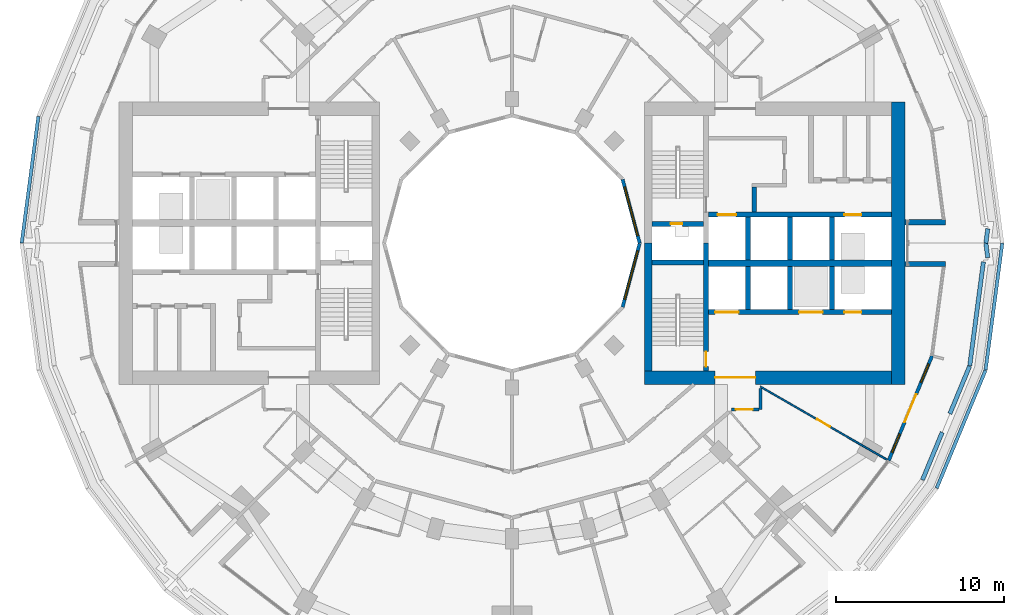
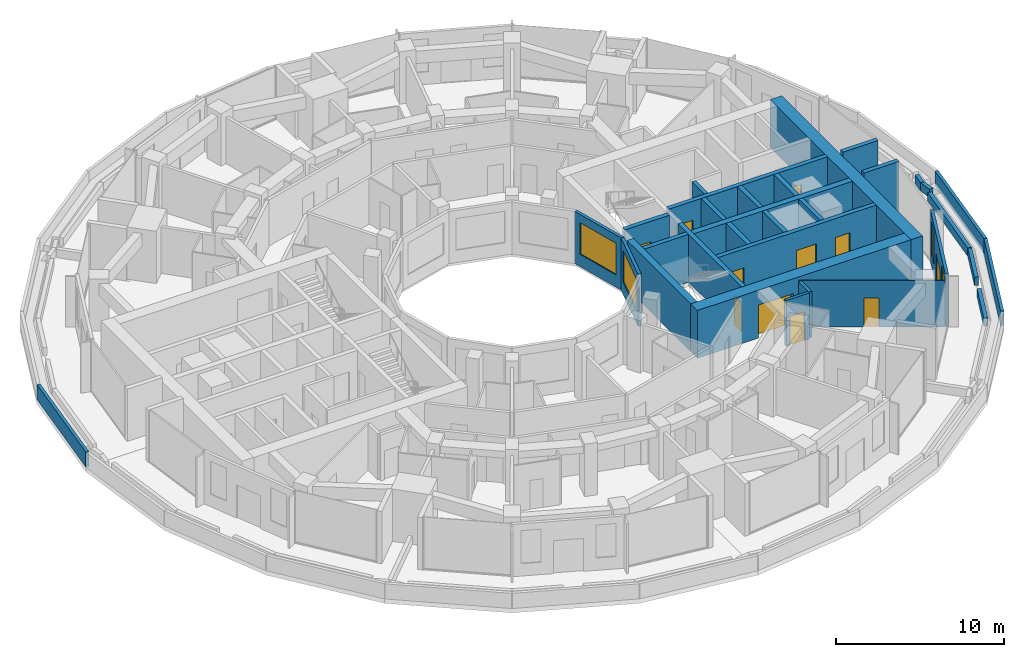
# One storey, part 13 of 19: 32 walls, 11 doors, 4 windows, 15 openings.
"""IFC4 building model written with IfcOpenShell, lengths in metres."""

from ifc_helpers import new_model, si_unit, direction, frame, frame_2d, origin, place, context, subcontext, project, spatial, rectangle, extrude, material, layer, layer_set, type_object, element, fill, save


model = new_model("IFC4")

# Units and contexts
model_context = context("Model", 3, precision=1e-05, world=origin(), true_north=direction((0.0, 1.0)))
body_context = subcontext(model_context, "Body", "Model", "MODEL_VIEW")
ifc_project = project(units=[si_unit("LENGTHUNIT", "METRE"), si_unit("AREAUNIT", "SQUARE_METRE"), si_unit("VOLUMEUNIT", "CUBIC_METRE"), si_unit("PLANEANGLEUNIT", "RADIAN"), si_unit("MASSUNIT", "GRAM", prefix="KILO")], contexts=[model_context])

# Site, building, storey
site_placement = place(None, origin())
site = spatial("IfcSite", under=ifc_project, at=site_placement, CompositionType="ELEMENT")
building_placement = place(site_placement, origin())
building = spatial("IfcBuilding", under=site, at=building_placement, Name="Torre Brocal", CompositionType="ELEMENT")
storey_placement = place(building_placement, frame((0.0, 0.0, 28.800048828125)))
storey = spatial("IfcBuildingStorey", under=building, at=storey_placement, Name="L05", CompositionType="ELEMENT", Elevation=28.800048828125)

# Wall
ifc_material_1 = material(Name="Concrete C80", Category="concrete")
ifc_layer_1 = layer(ifc_material_1, 0.25)
ifc_layer_set_1 = layer_set([ifc_layer_1], Name="Concrete C80")
wall_type_1 = type_object("IfcWallType", Name="CORE WALL 250 C80", PredefinedType="SHEAR", material=ifc_layer_set_1)
wall_1_placement = place(storey_placement, frame((94.425048828125, 76.85009765625, 0.0), z_axis=(0.0, 0.0, 1.0), x_axis=(0.0, 1.0, 0.0)))
element("IfcWall", 1, at=wall_1_placement, inside=storey, type_object=wall_type_1, Name="Wall CW250-80", PredefinedType="SHEAR", context=body_context, shape_type="SweptSolid", body=[
    extrude(rectangle(XDim=1.5, YDim=0.25, at=frame_2d((0.75, 0.0))), origin(), (0.0, 0.0, 1.0), 3.47998046875),
])

# Wall, opening, door
ifc_material_2 = material(Name="Concrete C80", Category="concrete")
ifc_layer_2 = layer(ifc_material_2, 0.300048828125)
ifc_layer_set_2 = layer_set([ifc_layer_2], Name="Concrete C80")
wall_type_2 = type_object("IfcWallType", Name="CORE WALL 300 C80", PredefinedType="SHEAR", material=ifc_layer_set_2)
wall_2_placement = place(storey_placement, frame((91.550048828125, 67.39990234375, 0.0), z_axis=(0.0, 0.0, 1.0), x_axis=(0.0, 1.0, 0.0)))
wall_2 = element("IfcWall", 2, at=wall_2_placement, inside=storey, type_object=wall_type_2, Name="Wall CW300-80", PredefinedType="SHEAR", context=body_context, shape_type="SweptSolid", body=[
    extrude(rectangle(XDim=7.60009765625, YDim=0.300048828125, at=frame_2d((3.800048828125, 0.0))), origin(), (0.0, 0.0, 1.0), 3.47998046875),
])
opening_1_placement = place(wall_2_placement, frame((0.25, 0.0, 0.0)))
opening_1 = element("IfcOpeningElement", 3, at=opening_1_placement, cuts=wall_2, Name="Opening E-D03", PredefinedType="OPENING", context=body_context, shape_type="SweptSolid", body=[
    extrude(rectangle(XDim=0.89990234375, YDim=2.10009765625, at=frame_2d((0.449951171875, 1.050048828125))), frame((0.0, 0.159912109375, 0.0), z_axis=(0.0, -1.0, 0.0), x_axis=(1.0, 0.0, 0.0)), (0.0, 0.0, 1.0), 0.320068359375),
])
ifc_material_3 = material(Name="Steel A653", Category="steel")
door_type_1 = type_object("IfcDoorType", Name="STAIR DOOR FD120 900X2100", OperationType="SINGLE_SWING_RIGHT", PredefinedType="DOOR", material=ifc_material_3)
door_1_placement = place(opening_1_placement, origin())
door_1 = element("IfcDoor", 4, at=door_1_placement, inside=storey, type_object=door_type_1, Name="Door E-D03", OperationType="SINGLE_SWING_LEFT", OverallHeight=2.10009765625, OverallWidth=0.89990234375, PredefinedType="DOOR", context=body_context, shape_type="SweptSolid", body=[
    extrude(rectangle(XDim=0.89990234375, YDim=2.10009765625, at=frame_2d((0.449951171875, 1.050048828125))), frame((0.0, 0.02490234375, 0.0), z_axis=(0.0, -1.0, 0.0), x_axis=(1.0, 0.0, 0.0)), (0.0, 0.0, 1.0), 0.050048828125),
])
fill(opening_1, door_1)

wall_3_placement = place(storey_placement, frame((88.35009765625, 76.14990234375, 0.0), z_axis=(0.0, 0.0, 1.0), x_axis=(1.0, 0.0, 0.0)))
wall_3 = element("IfcWall", 5, at=wall_3_placement, inside=storey, type_object=wall_type_2, Name="Wall CW300-80", PredefinedType="SHEAR", context=body_context, shape_type="SweptSolid", body=[
    extrude(rectangle(XDim=3.0498046875, YDim=0.300048828125, at=frame_2d((1.52490234375, 0.0))), origin(), (0.0, 0.0, 1.0), 3.47998046875),
])
opening_2_placement = place(wall_3_placement, frame((1.10009765625, 0.0, 0.0)))
opening_2 = element("IfcOpeningElement", 6, at=opening_2_placement, cuts=wall_3, Name="Opening E-D01", PredefinedType="OPENING", context=body_context, shape_type="SweptSolid", body=[
    extrude(rectangle(XDim=0.699951171875, YDim=2.0, at=frame_2d((0.35009765625, 1.0))), frame((0.0, 0.159912109375, 0.0), z_axis=(0.0, -1.0, 0.0), x_axis=(1.0, 0.0, 0.0)), (0.0, 0.0, 1.0), 0.320068359375),
])
ifc_material_4 = material(Name="Steel A653", Category="steel")
door_type_2 = type_object("IfcDoorType", Name="RISER DOOR FD120 700X2000", OperationType="SINGLE_SWING_LEFT", PredefinedType="DOOR", material=ifc_material_4)
door_2_placement = place(opening_2_placement, frame((0.699951171875, 0.0, 0.0), z_axis=(0.0, 0.0, 1.0), x_axis=(-1.0, 0.0, 0.0)))
door_2 = element("IfcDoor", 7, at=door_2_placement, inside=storey, type_object=door_type_2, Name="Door E-D01", OperationType="SINGLE_SWING_RIGHT", OverallHeight=2.0, OverallWidth=0.699951171875, PredefinedType="DOOR", context=body_context, shape_type="SweptSolid", body=[
    extrude(rectangle(XDim=0.699951171875, YDim=2.0, at=frame_2d((0.35009765625, 1.0))), frame((0.0, 0.02490234375, 0.0), z_axis=(0.0, -1.0, 0.0), x_axis=(1.0, 0.0, 0.0)), (0.0, 0.0, 1.0), 0.050048828125),
])
fill(opening_2, door_2)

# Wall
wall_4_placement = place(storey_placement, frame((88.35009765625, 73.85009765625, 0.0), z_axis=(0.0, 0.0, 1.0), x_axis=(1.0, 0.0, 0.0)))
element("IfcWall", 8, at=wall_4_placement, inside=storey, type_object=wall_type_2, Name="Wall CW300-80", PredefinedType="SHEAR", context=body_context, shape_type="SweptSolid", body=[
    extrude(rectangle(XDim=3.0498046875, YDim=0.300048828125, at=frame_2d((1.52490234375, 0.0))), origin(), (0.0, 0.0, 1.0), 3.47998046875),
])

# Wall, openings, doors
wall_5_placement = place(storey_placement, frame((91.699951171875, 76.699951171875, 0.0), z_axis=(0.0, 0.0, 1.0), x_axis=(1.0, 0.0, 0.0)))
wall_5 = element("IfcWall", 9, at=wall_5_placement, inside=storey, type_object=wall_type_2, Name="Wall CW300-80", PredefinedType="SHEAR", context=body_context, shape_type="SweptSolid", body=[
    extrude(rectangle(XDim=10.900146484375, YDim=0.300048828125, at=frame_2d((5.4501953125, 0.0))), origin(), (0.0, 0.0, 1.0), 3.47998046875),
])
opening_3_placement = place(wall_5_placement, frame((0.550048828125, 0.0, 0.0)))
opening_3 = element("IfcOpeningElement", 10, at=opening_3_placement, cuts=wall_5, Name="Opening LD", PredefinedType="OPENING", context=body_context, shape_type="SweptSolid", body=[
    extrude(rectangle(XDim=1.10009765625, YDim=2.10009765625, at=frame_2d((0.550048828125, 1.050048828125))), frame((0.0, 0.159912109375, 0.0), z_axis=(0.0, -1.0, 0.0), x_axis=(1.0, 0.0, 0.0)), (0.0, 0.0, 1.0), 0.320068359375),
])
opening_4_placement = place(wall_5_placement, frame((8.10009765625, 0.0, 0.0)))
opening_4 = element("IfcOpeningElement", 11, at=opening_4_placement, cuts=wall_5, Name="Opening LD10", PredefinedType="OPENING", context=body_context, shape_type="SweptSolid", body=[
    extrude(rectangle(XDim=1.0, YDim=2.10009765625, at=frame_2d((0.5, 1.050048828125))), frame((0.0, 0.159912109375, 0.0), z_axis=(0.0, -1.0, 0.0), x_axis=(1.0, 0.0, 0.0)), (0.0, 0.0, 1.0), 0.320068359375),
])
ifc_material_5 = material(Name="Stainless steel AISI 316", Category="steel")
door_type_3 = type_object("IfcDoorType", Name="LIFT LANDING DOOR 1000X2100", OperationType="DOUBLE_DOOR_SLIDING", PredefinedType="DOOR", material=ifc_material_5)
door_3_placement = place(opening_4_placement, origin())
door_3 = element("IfcDoor", 12, at=door_3_placement, inside=storey, type_object=door_type_3, Name="Door LD10", OperationType="DOUBLE_DOOR_SLIDING", OverallHeight=2.10009765625, OverallWidth=1.0, PredefinedType="DOOR", context=body_context, shape_type="SweptSolid", body=[
    extrude(rectangle(XDim=1.0, YDim=2.10009765625, at=frame_2d((0.5, 1.050048828125))), frame((0.0, 0.02490234375, 0.0), z_axis=(0.0, -1.0, 0.0), x_axis=(1.0, 0.0, 0.0)), (0.0, 0.0, 1.0), 0.050048828125),
])
fill(opening_4, door_3)
ifc_material_6 = material(Name="Stainless steel AISI 316", Category="steel")
door_type_4 = type_object("IfcDoorType", Name="LIFT LANDING DOOR 1100X2100", OperationType="DOUBLE_DOOR_SLIDING", PredefinedType="DOOR", material=ifc_material_6)
door_4_placement = place(opening_3_placement, origin())
door_4 = element("IfcDoor", 13, at=door_4_placement, inside=storey, type_object=door_type_4, Name="Door LD", OperationType="DOUBLE_DOOR_SLIDING", OverallHeight=2.10009765625, OverallWidth=1.10009765625, PredefinedType="DOOR", context=body_context, shape_type="SweptSolid", body=[
    extrude(rectangle(XDim=1.10009765625, YDim=2.10009765625, at=frame_2d((0.550048828125, 1.050048828125))), frame((0.0, 0.02490234375, 0.0), z_axis=(0.0, -1.0, 0.0), x_axis=(1.0, 0.0, 0.0)), (0.0, 0.0, 1.0), 0.050048828125),
])
fill(opening_3, door_4)

wall_6_placement = place(storey_placement, frame((91.699951171875, 70.89990234375, 0.0), z_axis=(0.0, 0.0, 1.0), x_axis=(1.0, 0.0, 0.0)))
wall_6 = element("IfcWall", 14, at=wall_6_placement, inside=storey, type_object=wall_type_2, Name="Wall CW300-80", PredefinedType="SHEAR", context=body_context, shape_type="SweptSolid", body=[
    extrude(rectangle(XDim=10.900146484375, YDim=0.300048828125, at=frame_2d((5.4501953125, 0.0))), origin(), (0.0, 0.0, 1.0), 3.47998046875),
])
opening_5_placement = place(wall_6_placement, frame((0.39990234375, 0.0, 0.0)))
opening_5 = element("IfcOpeningElement", 15, at=opening_5_placement, cuts=wall_6, Name="Opening LD14", PredefinedType="OPENING", context=body_context, shape_type="SweptSolid", body=[
    extrude(rectangle(XDim=1.39990234375, YDim=2.10009765625, at=frame_2d((0.699951171875, 1.050048828125))), frame((0.0, 0.159912109375, 0.0), z_axis=(0.0, -1.0, 0.0), x_axis=(1.0, 0.0, 0.0)), (0.0, 0.0, 1.0), 0.320068359375),
])
opening_6_placement = place(wall_6_placement, frame((5.39990234375, 0.0, 0.0)))
opening_6 = element("IfcOpeningElement", 16, at=opening_6_placement, cuts=wall_6, Name="Opening LD14", PredefinedType="OPENING", context=body_context, shape_type="SweptSolid", body=[
    extrude(rectangle(XDim=1.39990234375, YDim=2.10009765625, at=frame_2d((0.699951171875, 1.050048828125))), frame((0.0, 0.159912109375, 0.0), z_axis=(0.0, -1.0, 0.0), x_axis=(1.0, 0.0, 0.0)), (0.0, 0.0, 1.0), 0.320068359375),
])
opening_7_placement = place(wall_6_placement, frame((8.10009765625, 0.0, 0.0)))
opening_7 = element("IfcOpeningElement", 17, at=opening_7_placement, cuts=wall_6, Name="Opening LD10", PredefinedType="OPENING", context=body_context, shape_type="SweptSolid", body=[
    extrude(rectangle(XDim=1.0, YDim=2.10009765625, at=frame_2d((0.5, 1.050048828125))), frame((0.0, 0.159912109375, 0.0), z_axis=(0.0, -1.0, 0.0), x_axis=(1.0, 0.0, 0.0)), (0.0, 0.0, 1.0), 0.320068359375),
])
door_5_placement = place(opening_7_placement, origin())
door_5 = element("IfcDoor", 18, at=door_5_placement, inside=storey, type_object=door_type_3, Name="Door LD10", OperationType="DOUBLE_DOOR_SLIDING", OverallHeight=2.10009765625, OverallWidth=1.0, PredefinedType="DOOR", context=body_context, shape_type="SweptSolid", body=[
    extrude(rectangle(XDim=1.0, YDim=2.10009765625, at=frame_2d((0.5, 1.050048828125))), frame((0.0, 0.02490234375, 0.0), z_axis=(0.0, -1.0, 0.0), x_axis=(1.0, 0.0, 0.0)), (0.0, 0.0, 1.0), 0.050048828125),
])
fill(opening_7, door_5)
ifc_material_7 = material(Name="Stainless steel AISI 316", Category="steel")
door_type_5 = type_object("IfcDoorType", Name="LIFT LANDING DOOR 1400X2100", OperationType="DOUBLE_DOOR_SLIDING", PredefinedType="DOOR", material=ifc_material_7)
door_6_placement = place(opening_5_placement, origin())
door_6 = element("IfcDoor", 19, at=door_6_placement, inside=storey, type_object=door_type_5, Name="Door LD14", OperationType="DOUBLE_DOOR_SLIDING", OverallHeight=2.10009765625, OverallWidth=1.39990234375, PredefinedType="DOOR", context=body_context, shape_type="SweptSolid", body=[
    extrude(rectangle(XDim=1.39990234375, YDim=2.10009765625, at=frame_2d((0.699951171875, 1.050048828125))), frame((0.0, 0.02490234375, 0.0), z_axis=(0.0, -1.0, 0.0), x_axis=(1.0, 0.0, 0.0)), (0.0, 0.0, 1.0), 0.050048828125),
])
fill(opening_5, door_6)
door_7_placement = place(opening_6_placement, origin())
door_7 = element("IfcDoor", 20, at=door_7_placement, inside=storey, type_object=door_type_5, Name="Door LD14", OperationType="DOUBLE_DOOR_SLIDING", OverallHeight=2.10009765625, OverallWidth=1.39990234375, PredefinedType="DOOR", context=body_context, shape_type="SweptSolid", body=[
    extrude(rectangle(XDim=1.39990234375, YDim=2.10009765625, at=frame_2d((0.699951171875, 1.050048828125))), frame((0.0, 0.02490234375, 0.0), z_axis=(0.0, -1.0, 0.0), x_axis=(1.0, 0.0, 0.0)), (0.0, 0.0, 1.0), 0.050048828125),
])
fill(opening_6, door_7)

# Walls
for number, where, z_axis, x_axis, name in (
    (21, (94.050048828125, 74.0, 0.0), (0.0, 0.0, 1.0), (0.0, 1.0, 0.0), "Wall CW300-80"),
    (22, (96.550048828125, 74.0, 0.0), (0.0, 0.0, 1.0), (0.0, 1.0, 0.0), "Wall CW300-80"),
    (23, (99.050048828125, 74.0, 0.0), (0.0, 0.0, 1.0), (0.0, 1.0, 0.0), "Wall CW300-80"),
    (24, (94.050048828125, 71.050048828125, 0.0), (0.0, 0.0, 1.0), (0.0, 1.0, 0.0), "Wall CW300-80"),
    (25, (96.550048828125, 71.050048828125, 0.0), (0.0, 0.0, 1.0), (0.0, 1.0, 0.0), "Wall CW300-80"),
    (26, (99.050048828125, 71.050048828125, 0.0), (0.0, 0.0, 1.0), (0.0, 1.0, 0.0), "Wall CW300-80"),
):
    element("IfcWall", number, at=place(storey_placement, frame(where, z_axis=z_axis, x_axis=x_axis)), inside=storey, type_object=wall_type_2, Name=name, PredefinedType="SHEAR", context=body_context, shape_type="SweptSolid", body=[
        extrude(rectangle(XDim=2.550048828125, YDim=0.300048828125, at=frame_2d((1.27490234375, 0.0))), origin(), (0.0, 0.0, 1.0), 3.47998046875),
    ])
ifc_material_8 = material(Name="Concrete C80", Category="concrete")
ifc_layer_3 = layer(ifc_material_8, 0.39990234375)
ifc_layer_set_3 = layer_set([ifc_layer_3], Name="Concrete C80")
wall_type_3 = type_object("IfcWallType", Name="CORE WALL 400 C80", PredefinedType="SHEAR", material=ifc_layer_set_3)
wall_7_placement = place(storey_placement, frame((91.699951171875, 73.800048828125, 0.0), z_axis=(0.0, 0.0, 1.0), x_axis=(1.0, 0.0, 0.0)))
element("IfcWall", 27, at=wall_7_placement, inside=storey, type_object=wall_type_3, Name="Wall CW400-80", PredefinedType="SHEAR", context=body_context, shape_type="SweptSolid", body=[
    extrude(rectangle(XDim=10.900146484375, YDim=0.39990234375, at=frame_2d((5.4501953125, 0.0))), origin(), (0.0, 0.0, 1.0), 3.47998046875),
])
ifc_material_9 = material(Name="Concrete C80", Category="concrete")
ifc_layer_4 = layer(ifc_material_9, 0.449951171875)
ifc_layer_set_4 = layer_set([ifc_layer_4], Name="Concrete C80")
wall_type_4 = type_object("IfcWallType", Name="CORE WALL 450 C80", PredefinedType="SHEAR", material=ifc_layer_set_4)
wall_8_placement = place(storey_placement, frame((88.125, 67.39990234375, 0.0), z_axis=(0.0, 0.0, 1.0), x_axis=(0.0, 1.0, 0.0)))
element("IfcWall", 28, at=wall_8_placement, inside=storey, type_object=wall_type_4, Name="Wall CW450-80", PredefinedType="SHEAR", context=body_context, shape_type="SweptSolid", body=[
    extrude(rectangle(XDim=7.60009765625, YDim=0.449951171875, at=frame_2d((3.800048828125, 0.0))), origin(), (0.0, 0.0, 1.0), 3.47998046875),
])

# Wall, opening, door
ifc_material_10 = material(Name="Concrete C80", Category="concrete")
ifc_layer_5 = layer(ifc_material_10, 0.800048828125)
ifc_layer_set_5 = layer_set([ifc_layer_5], Name="Concrete C80")
wall_type_5 = type_object("IfcWallType", Name="CORE WALL 800 C80", PredefinedType="SHEAR", material=ifc_layer_set_5)
wall_9_placement = place(storey_placement, frame((87.89990234375, 67.0, 0.0), z_axis=(0.0, 0.0, 1.0), x_axis=(1.0, 0.0, 0.0)))
wall_9 = element("IfcWall", 29, at=wall_9_placement, inside=storey, type_object=wall_type_5, Name="Wall CW800-80", PredefinedType="SHEAR", context=body_context, shape_type="SweptSolid", body=[
    extrude(rectangle(XDim=14.7001953125, YDim=0.800048828125, at=frame_2d((7.35009765625, 0.0))), origin(), (0.0, 0.0, 1.0), 3.47998046875),
])
opening_8_placement = place(wall_9_placement, frame((4.199951171875, 0.0, 0.0)))
opening_8 = element("IfcOpeningElement", 30, at=opening_8_placement, cuts=wall_9, Name="Opening E-D30", PredefinedType="OPENING", context=body_context, shape_type="SweptSolid", body=[
    extrude(rectangle(XDim=2.39990234375, YDim=2.39990234375, at=frame_2d((1.199951171875, 1.199951171875))), frame((0.0, 0.409912109375, 0.0), z_axis=(0.0, -1.0, 0.0), x_axis=(1.0, 0.0, 0.0)), (0.0, 0.0, 1.0), 0.820068359375),
])
ifc_material_11 = material(Name="Steel A653", Category="steel")
door_type_6 = type_object("IfcDoorType", Name="DOUBLE FIRE DOOR FD90 2400X2400", OperationType="DOUBLE_DOOR_SINGLE_SWING", PredefinedType="DOOR", material=ifc_material_11)
door_8_placement = place(opening_8_placement, origin())
door_8 = element("IfcDoor", 31, at=door_8_placement, inside=storey, type_object=door_type_6, Name="Door E-D30", OperationType="DOUBLE_DOOR_SINGLE_SWING", OverallHeight=2.39990234375, OverallWidth=2.39990234375, PredefinedType="DOOR", context=body_context, shape_type="SweptSolid", body=[
    extrude(rectangle(XDim=2.39990234375, YDim=2.39990234375, at=frame_2d((1.199951171875, 1.199951171875))), frame((0.0, 0.02490234375, 0.0), z_axis=(0.0, -1.0, 0.0), x_axis=(1.0, 0.0, 0.0)), (0.0, 0.0, 1.0), 0.050048828125),
])
fill(opening_8, door_8)

# Wall
wall_10_placement = place(storey_placement, frame((103.0, 66.60009765625, 0.0), z_axis=(0.0, 0.0, 1.0), x_axis=(0.0, 1.0, 0.0)))
element("IfcWall", 32, at=wall_10_placement, inside=storey, type_object=wall_type_5, Name="Wall CW800-80", PredefinedType="SHEAR", context=body_context, shape_type="SweptSolid", body=[
    extrude(rectangle(XDim=16.7998046875, YDim=0.800048828125, at=frame_2d((8.39990234375, 0.0))), origin(), (0.0, 0.0, 1.0), 3.47998046875),
])

# Wall, openings, door, windows
ifc_material_12 = material(Name="Concrete C40", Category="concrete")
ifc_layer_6 = layer(ifc_material_12, 0.199951171875)
ifc_layer_set_6 = layer_set([ifc_layer_6], Name="Concrete C40")
wall_type_6 = type_object("IfcWallType", Name="EXTERNAL WALL 200", PredefinedType="NOTDEFINED", material=ifc_layer_set_6)
wall_11_placement = place(storey_placement, frame((102.42919921875, 62.050537109375, 0.0), z_axis=(0.0, 0.0, 1.0), x_axis=(0.382694096902, 0.923875115043, 0.0)))
wall_11 = element("IfcWall", 33, at=wall_11_placement, inside=storey, type_object=wall_type_6, Name="EXTERNAL WALL", PredefinedType="NOTDEFINED", context=body_context, shape_type="SweptSolid", body=[
    extrude(rectangle(XDim=6.760986328125, YDim=0.199951171875, at=frame_2d((3.38037109375, 0.0))), origin(), (0.0, 0.0, 1.0), 3.800048828125),
])
opening_9_placement = place(wall_11_placement, frame((0.52685546875, 0.0, 0.89990234375)))
opening_9 = element("IfcOpeningElement", 34, at=opening_9_placement, cuts=wall_11, Name="Opening W3", PredefinedType="OPENING", context=body_context, shape_type="SweptSolid", body=[
    extrude(rectangle(XDim=1.199951171875, YDim=2.39990234375, at=frame_2d((0.60009765625, 1.199951171875))), frame((0.0, 0.10986328125, 0.0), z_axis=(0.0, -1.0, 0.0), x_axis=(1.0, 0.0, 0.0)), (0.0, 0.0, 1.0), 0.219970703125),
])
opening_10_placement = place(wall_11_placement, frame((2.48046875, 0.0, 0.0)))
opening_10 = element("IfcOpeningElement", 35, at=opening_10_placement, cuts=wall_11, Name="Opening L05-E08", PredefinedType="OPENING", context=body_context, shape_type="SweptSolid", body=[
    extrude(rectangle(XDim=1.800048828125, YDim=2.39990234375, at=frame_2d((0.89990234375, 1.199951171875))), frame((0.0, 0.10986328125, 0.0), z_axis=(0.0, -1.0, 0.0), x_axis=(1.0, 0.0, 0.0)), (0.0, 0.0, 1.0), 0.219970703125),
])
opening_11_placement = place(wall_11_placement, frame((5.0341796875, 0.0, 0.89990234375)))
opening_11 = element("IfcOpeningElement", 36, at=opening_11_placement, cuts=wall_11, Name="Opening W3", PredefinedType="OPENING", context=body_context, shape_type="SweptSolid", body=[
    extrude(rectangle(XDim=1.199951171875, YDim=2.39990234375, at=frame_2d((0.60009765625, 1.199951171875))), frame((0.0, 0.10986328125, 0.0), z_axis=(0.0, -1.0, 0.0), x_axis=(1.0, 0.0, 0.0)), (0.0, 0.0, 1.0), 0.219970703125),
])
ifc_material_13 = material(Name="Aluminium and glass", Category="aluminium")
door_type_7 = type_object("IfcDoorType", Name="TERRACE DOUBLE DOOR 1800X2400", OperationType="DOUBLE_DOOR_SINGLE_SWING", PredefinedType="DOOR", material=ifc_material_13)
door_9_placement = place(opening_10_placement, frame((1.800048828125, 0.0, 0.0), z_axis=(0.0, 0.0, 1.0), x_axis=(-1.0, 0.0, 0.0)))
door_9 = element("IfcDoor", 37, at=door_9_placement, inside=storey, type_object=door_type_7, Name="DOOR L05-E08", OperationType="DOUBLE_DOOR_SINGLE_SWING", OverallHeight=2.39990234375, OverallWidth=1.800048828125, PredefinedType="DOOR", context=body_context, shape_type="SweptSolid", body=[
    extrude(rectangle(XDim=1.800048828125, YDim=2.39990234375, at=frame_2d((0.89990234375, 1.199951171875))), frame((0.0, 0.02490234375, 0.0), z_axis=(0.0, -1.0, 0.0), x_axis=(1.0, 0.0, 0.0)), (0.0, 0.0, 1.0), 0.050048828125),
])
fill(opening_10, door_9)
ifc_material_14 = material(Name="Aluminium and glass", Category="aluminium")
window_type_1 = type_object("IfcWindowType", Name="TERRACE WINDOW 1200X2400", PartitioningType="SINGLE_PANEL", PredefinedType="WINDOW", material=ifc_material_14)
window_1_placement = place(opening_9_placement, origin())
window_1 = element("IfcWindow", 38, at=window_1_placement, inside=storey, type_object=window_type_1, Name="TERRACE WINDOW 1200X2400", OverallHeight=2.39990234375, OverallWidth=1.199951171875, PartitioningType="SINGLE_PANEL", PredefinedType="WINDOW", context=body_context, shape_type="SweptSolid", body=[
    extrude(rectangle(XDim=1.199951171875, YDim=2.39990234375, at=frame_2d((0.60009765625, 1.199951171875))), frame((0.0, 0.030029296875, 0.0), z_axis=(0.0, -1.0, 0.0), x_axis=(1.0, 0.0, 0.0)), (0.0, 0.0, 1.0), 0.06005859375),
])
fill(opening_9, window_1)
window_2_placement = place(opening_11_placement, origin())
window_2 = element("IfcWindow", 39, at=window_2_placement, inside=storey, type_object=window_type_1, Name="TERRACE WINDOW 1200X2400", OverallHeight=2.39990234375, OverallWidth=1.199951171875, PartitioningType="SINGLE_PANEL", PredefinedType="WINDOW", context=body_context, shape_type="SweptSolid", body=[
    extrude(rectangle(XDim=1.199951171875, YDim=2.39990234375, at=frame_2d((0.60009765625, 1.199951171875))), frame((0.0, 0.030029296875, 0.0), z_axis=(0.0, -1.0, 0.0), x_axis=(1.0, 0.0, 0.0)), (0.0, 0.0, 1.0), 0.06005859375),
])
fill(opening_11, window_2)

# Walls
ifc_material_15 = material(Name="Concrete C80", Category="concrete")
ifc_layer_7 = layer(ifc_material_15, 0.300048828125)
ifc_layer_set_7 = layer_set([ifc_layer_7], Name="Concrete C80")
wall_type_7 = type_object("IfcWallType", Name="NOTCH RETURN WALL 300 C80", PredefinedType="NOTDEFINED", material=ifc_layer_set_7)
for number, where, z_axis, x_axis, name in (
    (40, (103.39990234375, 73.75, 0.0), (0.0, 0.0, 1.0), (1.0, 0.0, 0.0), "NOTCH RETURN WALL"),
    (41, (103.39990234375, 76.25, 0.0), (0.0, 0.0, 1.0), (1.0, 0.0, 0.0), "NOTCH RETURN WALL"),
):
    element("IfcWall", number, at=place(storey_placement, frame(where, z_axis=z_axis, x_axis=x_axis)), inside=storey, type_object=wall_type_7, Name=name, PredefinedType="NOTDEFINED", context=body_context, shape_type="SweptSolid", body=[
        extrude(rectangle(XDim=2.415771484375, YDim=0.300048828125, at=frame_2d((1.2080078125, 0.0))), origin(), (0.0, 0.0, 1.0), 3.800048828125),
    ])
ifc_material_16 = material(Name="Concrete C40", Category="concrete")
ifc_layer_8 = layer(ifc_material_16, 0.199951171875)
ifc_layer_set_8 = layer_set([ifc_layer_8], Name="Concrete C40")
wall_type_8 = type_object("IfcWallType", Name="PARAPET WALL 200 THICK 1100 HIGH 6", PredefinedType="PARAPET", material=ifc_layer_set_8)
wall_12_placement = place(storey_placement, frame((109.197509765625, 75.0, 0.0), z_axis=(0.0, 0.0, 1.0), x_axis=(-0.130528383523, -0.991444572881, 0.0)))
element("IfcWall", 42, at=wall_12_placement, inside=storey, type_object=wall_type_8, Name="PARAPET WALL 1", PredefinedType="PARAPET", context=body_context, shape_type="SweptSolid", body=[
    extrude(rectangle(XDim=7.60888671875, YDim=0.199951171875, at=frame_2d((3.804443359375, 0.0))), origin(), (0.0, 0.0, 1.0), 1.099853515625),
])
wall_13_placement = place(storey_placement, frame((108.197509765625, 67.430908203125, 0.0), z_axis=(0.0, 0.0, 1.0), x_axis=(-0.382690553965, -0.923876582616, 0.0)))
element("IfcWall", 43, at=wall_13_placement, inside=storey, type_object=wall_type_8, Name="PARAPET WALL 2", PredefinedType="PARAPET", context=body_context, shape_type="SweptSolid", body=[
    extrude(rectangle(XDim=7.595458984375, YDim=0.199951171875, at=frame_2d((3.7978515625, 0.0))), origin(), (0.0, 0.0, 1.0), 1.099853515625),
])
wall_14_placement = place(storey_placement, frame((50.80419921875, 75.012939453125, 0.0), z_axis=(0.0, 0.0, 1.0), x_axis=(0.130527679023, 0.991444665631, 0.0)))
element("IfcWall", 44, at=wall_14_placement, inside=storey, type_object=wall_type_8, Name="PARAPET WALL 13", PredefinedType="PARAPET", context=body_context, shape_type="SweptSolid", body=[
    extrude(rectangle(XDim=7.595703125, YDim=0.199951171875, at=frame_2d((3.7978515625, 0.0))), origin(), (0.0, 0.0, 1.0), 1.099853515625),
])

# Wall, opening, door
ifc_material_17 = material(Name="Gypsum board", Category="Gypsum")
ifc_layer_9 = layer(ifc_material_17, 0.10009765625)
ifc_layer_set_9 = layer_set([ifc_layer_9], Name="Gypsum board")
wall_type_9 = type_object("IfcWallType", Name="PARTITION 100", PredefinedType="PARTITIONING", material=ifc_layer_set_9)
wall_15_placement = place(storey_placement, frame((94.800048828125, 66.455078125, 0.0), z_axis=(0.0, 0.0, 1.0), x_axis=(0.86602264145, -0.500004784474, 0.0)))
wall_15 = element("IfcWall", 45, at=wall_15_placement, inside=storey, type_object=wall_type_9, Name="ROOM PARTITION", PredefinedType="PARTITIONING", context=body_context, shape_type="SweptSolid", body=[
    extrude(rectangle(XDim=8.7080078125, YDim=0.10009765625, at=frame_2d((4.35400390625, 0.0))), origin(), (0.0, 0.0, 1.0), 3.349853515625),
])
opening_12_placement = place(wall_15_placement, frame((3.87890625, 0.0, 0.0)))
opening_12 = element("IfcOpeningElement", 46, at=opening_12_placement, cuts=wall_15, Name="Opening H01-D28", PredefinedType="OPENING", context=body_context, shape_type="SweptSolid", body=[
    extrude(rectangle(XDim=0.89990234375, YDim=2.10009765625, at=frame_2d((0.449951171875, 1.050048828125))), frame((0.0, 0.06005859375, 0.0), z_axis=(0.0, -1.0, 0.0), x_axis=(1.0, 0.0, 0.0)), (0.0, 0.0, 1.0), 0.1201171875),
])
ifc_material_18 = material(Name="Timber", Category="wood")
door_type_8 = type_object("IfcDoorType", Name="ROOM DOOR 900X2100", OperationType="SINGLE_SWING_LEFT", PredefinedType="DOOR", material=ifc_material_18)
door_10_placement = place(opening_12_placement, origin())
door_10 = element("IfcDoor", 47, at=door_10_placement, inside=storey, type_object=door_type_8, Name="H01-D28", OperationType="SINGLE_SWING_LEFT", OverallHeight=2.10009765625, OverallWidth=0.89990234375, PredefinedType="DOOR", context=body_context, shape_type="SweptSolid", body=[
    extrude(rectangle(XDim=0.89990234375, YDim=2.10009765625, at=frame_2d((0.449951171875, 1.050048828125))), frame((0.0, 0.02490234375, 0.0), z_axis=(0.0, -1.0, 0.0), x_axis=(1.0, 0.0, 0.0)), (0.0, 0.0, 1.0), 0.050048828125),
])
fill(opening_12, door_10)

ifc_material_19 = material(Name="Gypsum board", Category="Gypsum")
ifc_layer_10 = layer(ifc_material_19, 0.199951171875)
ifc_layer_set_10 = layer_set([ifc_layer_10], Name="Gypsum board")
wall_type_10 = type_object("IfcWallType", Name="PARTITION 200 EI60", PredefinedType="PARTITIONING", material=ifc_layer_set_10)
wall_16_placement = place(storey_placement, frame((93.0849609375, 65.10009765625, 0.0), z_axis=(0.0, 0.0, 1.0), x_axis=(1.0, 0.0, 0.0)))
wall_16 = element("IfcWall", 48, at=wall_16_placement, inside=storey, type_object=wall_type_10, Name="GUESTROOM CORRIDOR WALL", PredefinedType="PARTITIONING", context=body_context, shape_type="SweptSolid", body=[
    extrude(rectangle(XDim=1.614990234375, YDim=0.199951171875, at=frame_2d((0.8076171875, 0.0))), origin(), (0.0, 0.0, 1.0), 3.349853515625),
])
opening_13_placement = place(wall_16_placement, frame((0.25, 0.0, 0.0)))
opening_13 = element("IfcOpeningElement", 49, at=opening_13_placement, cuts=wall_16, Name="Opening H01-D26", PredefinedType="OPENING", context=body_context, shape_type="SweptSolid", body=[
    extrude(rectangle(XDim=1.0, YDim=2.10009765625, at=frame_2d((0.5, 1.050048828125))), frame((0.0, 0.10986328125, 0.0), z_axis=(0.0, -1.0, 0.0), x_axis=(1.0, 0.0, 0.0)), (0.0, 0.0, 1.0), 0.219970703125),
])
ifc_material_20 = material(Name="Timber", Category="wood")
door_type_9 = type_object("IfcDoorType", Name="FLAT ENTRY DOOR FD30S 1000X2100", OperationType="SINGLE_SWING_RIGHT", PredefinedType="DOOR", material=ifc_material_20)
door_11_placement = place(opening_13_placement, frame((1.0, 0.0, 0.0), z_axis=(0.0, 0.0, 1.0), x_axis=(-1.0, 0.0, 0.0)))
door_11 = element("IfcDoor", 50, at=door_11_placement, inside=storey, type_object=door_type_9, Name="H01-D26", OperationType="SINGLE_SWING_LEFT", OverallHeight=2.10009765625, OverallWidth=1.0, PredefinedType="DOOR", context=body_context, shape_type="SweptSolid", body=[
    extrude(rectangle(XDim=1.0, YDim=2.10009765625, at=frame_2d((0.5, 1.050048828125))), frame((0.0, 0.02490234375, 0.0), z_axis=(0.0, -1.0, 0.0), x_axis=(1.0, 0.0, 0.0)), (0.0, 0.0, 1.0), 0.050048828125),
])
fill(opening_13, door_11)

# Walls
wall_17_placement = place(storey_placement, frame((94.800048828125, 65.10009765625, 0.0), z_axis=(0.0, 0.0, 1.0), x_axis=(0.0, 1.0, 0.0)))
element("IfcWall", 51, at=wall_17_placement, inside=storey, type_object=wall_type_10, Name="GUESTROOM CORRIDOR WALL", PredefinedType="PARTITIONING", context=body_context, shape_type="SweptSolid", body=[
    extrude(rectangle(XDim=1.25, YDim=0.199951171875, at=frame_2d((0.625, 0.0))), origin(), (0.0, 0.0, 1.0), 3.349853515625),
])
ifc_material_21 = material(Name="Concrete C35", Category="concrete")
ifc_layer_11 = layer(ifc_material_21, 0.25)
ifc_layer_set_11 = layer_set([ifc_layer_11], Name="Concrete C35")
wall_type_11 = type_object("IfcWallType", Name="PLANTER WALL 250 THICK 600 HIGH 6", PredefinedType="USERDEFINED", material=ifc_layer_set_11)
for number, where, z_axis, x_axis, name in (
    (52, (108.33203125, 75.858642578125, 0.0), (0.0, 0.0, 1.0), (-0.130520142052, -0.991445657875, 0.0), "PLANTER"),
    (53, (108.218994140625, 75.0, 0.0), (0.0, 0.0, 1.0), (0.130520142052, -0.991445657875, 0.0), "PLANTER"),
):
    element("IfcWall", number, at=place(storey_placement, frame(where, z_axis=z_axis, x_axis=x_axis)), inside=storey, type_object=wall_type_11, Name=name, ObjectType="PLANTER", PredefinedType="USERDEFINED", context=body_context, shape_type="SweptSolid", body=[
        extrude(rectangle(XDim=0.865966796875, YDim=0.25, at=frame_2d((0.43310546875, 0.0))), origin(), (0.0, 0.0, 1.0), 0.599853515625),
    ])
wall_18_placement = place(storey_placement, frame((108.072998046875, 73.891357421875, 0.0), z_axis=(0.0, 0.0, 1.0), x_axis=(-0.130531529041, -0.991444158753, 0.0)))
element("IfcWall", 54, at=wall_18_placement, inside=storey, type_object=wall_type_11, Name="PLANTER", ObjectType="PLANTER", PredefinedType="USERDEFINED", context=body_context, shape_type="SweptSolid", body=[
    extrude(rectangle(XDim=6.23193359375, YDim=0.25, at=frame_2d((3.115966796875, 0.0))), origin(), (0.0, 0.0, 1.0), 0.599853515625),
])
for number, where, z_axis, x_axis, name in (
    (55, (107.251220703125, 67.68115234375, 0.0), (0.0, 0.0, 1.0), (-0.382726739509, -0.923861592916, 0.0), "PLANTER"),
    (56, (105.618408203125, 63.739013671875, 0.0), (0.0, 0.0, 1.0), (-0.38275488762, -0.923849931538, 0.0), "PLANTER"),
):
    element("IfcWall", number, at=place(storey_placement, frame(where, z_axis=z_axis, x_axis=x_axis)), inside=storey, type_object=wall_type_11, Name=name, ObjectType="PLANTER", PredefinedType="USERDEFINED", context=body_context, shape_type="SweptSolid", body=[
        extrude(rectangle(XDim=3.06689453125, YDim=0.25, at=frame_2d((1.533447265625, 0.0))), origin(), (0.0, 0.0, 1.0), 0.599853515625),
    ])

# Wall, opening, window
ifc_material_22 = material(Name="Concrete C40", Category="concrete")
ifc_layer_12 = layer(ifc_material_22, 0.199951171875)
ifc_layer_set_12 = layer_set([ifc_layer_12], Name="Concrete C40")
wall_type_12 = type_object("IfcWallType", Name="WELL FACADE WALL 200", PredefinedType="NOTDEFINED", material=ifc_layer_set_12)
wall_19_placement = place(storey_placement, frame((87.603515625, 75.0, 0.0), z_axis=(0.0, 0.0, 1.0), x_axis=(-0.258789828301, 0.965933654434, 0.0)))
wall_19 = element("IfcWall", 57, at=wall_19_placement, inside=storey, type_object=wall_type_12, Name="WELL FACADE WALL", PredefinedType="NOTDEFINED", context=body_context, shape_type="SweptSolid", body=[
    extrude(rectangle(XDim=3.935791015625, YDim=0.199951171875, at=frame_2d((1.9677734375, 0.0))), origin(), (0.0, 0.0, 1.0), 3.800048828125),
])
opening_14_placement = place(wall_19_placement, frame((0.468017578125, 0.0, 0.89990234375)))
opening_14 = element("IfcOpeningElement", 58, at=opening_14_placement, cuts=wall_19, Name="Opening W1", PredefinedType="OPENING", context=body_context, shape_type="SweptSolid", body=[
    extrude(rectangle(XDim=3.0, YDim=2.300048828125, at=frame_2d((1.5, 1.14990234375))), frame((0.0, 0.10986328125, 0.0), z_axis=(0.0, -1.0, 0.0), x_axis=(1.0, 0.0, 0.0)), (0.0, 0.0, 1.0), 0.219970703125),
])
ifc_material_23 = material(Name="Aluminium and glass", Category="aluminium")
window_type_2 = type_object("IfcWindowType", Name="WELL WINDOW 3000X2300", PartitioningType="SINGLE_PANEL", PredefinedType="WINDOW", material=ifc_material_23)
window_3_placement = place(opening_14_placement, origin())
window_3 = element("IfcWindow", 59, at=window_3_placement, inside=storey, type_object=window_type_2, Name="WELL WINDOW 3000X2300", OverallHeight=2.300048828125, OverallWidth=3.0, PartitioningType="SINGLE_PANEL", PredefinedType="WINDOW", context=body_context, shape_type="SweptSolid", body=[
    extrude(rectangle(XDim=3.0, YDim=2.300048828125, at=frame_2d((1.5, 1.14990234375))), frame((0.0, 0.030029296875, 0.0), z_axis=(0.0, -1.0, 0.0), x_axis=(1.0, 0.0, 0.0)), (0.0, 0.0, 1.0), 0.06005859375),
])
fill(opening_14, window_3)

wall_20_placement = place(storey_placement, frame((86.5849609375, 71.1982421875, 0.0), z_axis=(0.0, 0.0, 1.0), x_axis=(0.258789828301, 0.965933654434, 0.0)))
wall_20 = element("IfcWall", 60, at=wall_20_placement, inside=storey, type_object=wall_type_12, Name="WELL FACADE WALL", PredefinedType="NOTDEFINED", context=body_context, shape_type="SweptSolid", body=[
    extrude(rectangle(XDim=3.935791015625, YDim=0.199951171875, at=frame_2d((1.9677734375, 0.0))), origin(), (0.0, 0.0, 1.0), 3.800048828125),
])
opening_15_placement = place(wall_20_placement, frame((0.468017578125, 0.0, 0.89990234375)))
opening_15 = element("IfcOpeningElement", 61, at=opening_15_placement, cuts=wall_20, Name="Opening W1", PredefinedType="OPENING", context=body_context, shape_type="SweptSolid", body=[
    extrude(rectangle(XDim=3.0, YDim=2.300048828125, at=frame_2d((1.5, 1.14990234375))), frame((0.0, 0.10986328125, 0.0), z_axis=(0.0, -1.0, 0.0), x_axis=(1.0, 0.0, 0.0)), (0.0, 0.0, 1.0), 0.219970703125),
])
window_4_placement = place(opening_15_placement, origin())
window_4 = element("IfcWindow", 62, at=window_4_placement, inside=storey, type_object=window_type_2, Name="WELL WINDOW 3000X2300", OverallHeight=2.300048828125, OverallWidth=3.0, PartitioningType="SINGLE_PANEL", PredefinedType="WINDOW", context=body_context, shape_type="SweptSolid", body=[
    extrude(rectangle(XDim=3.0, YDim=2.300048828125, at=frame_2d((1.5, 1.14990234375))), frame((0.0, 0.030029296875, 0.0), z_axis=(0.0, -1.0, 0.0), x_axis=(1.0, 0.0, 0.0)), (0.0, 0.0, 1.0), 0.06005859375),
])
fill(opening_15, window_4)

save(model, "model.ifc")
